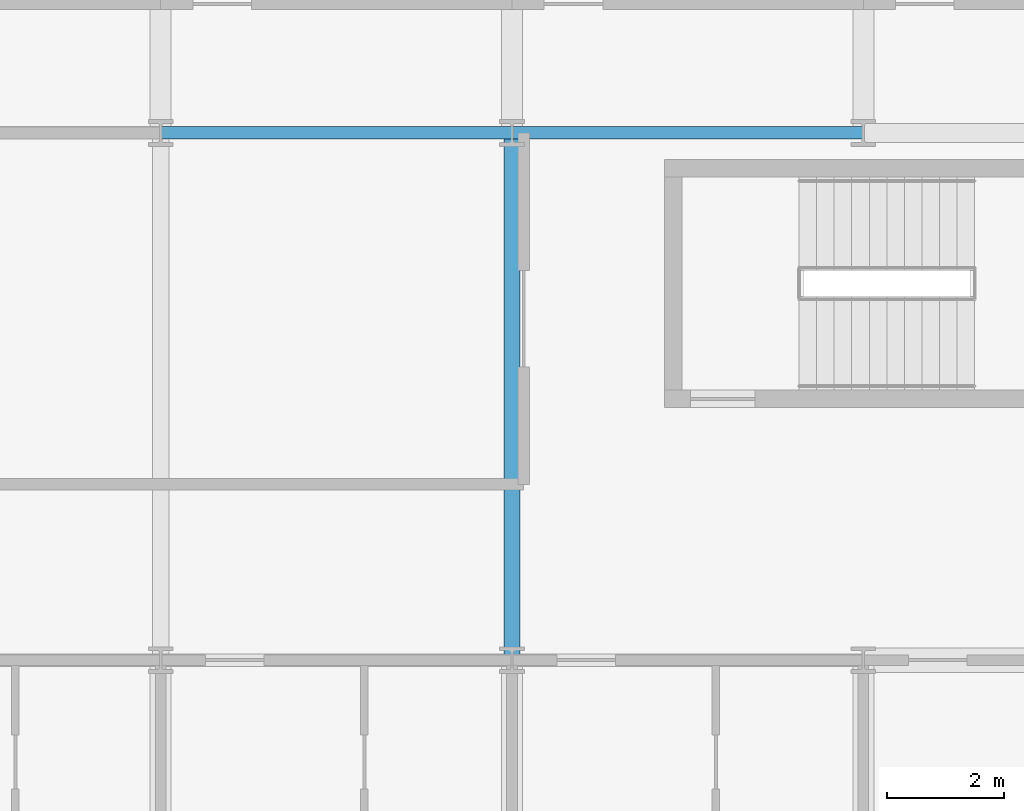
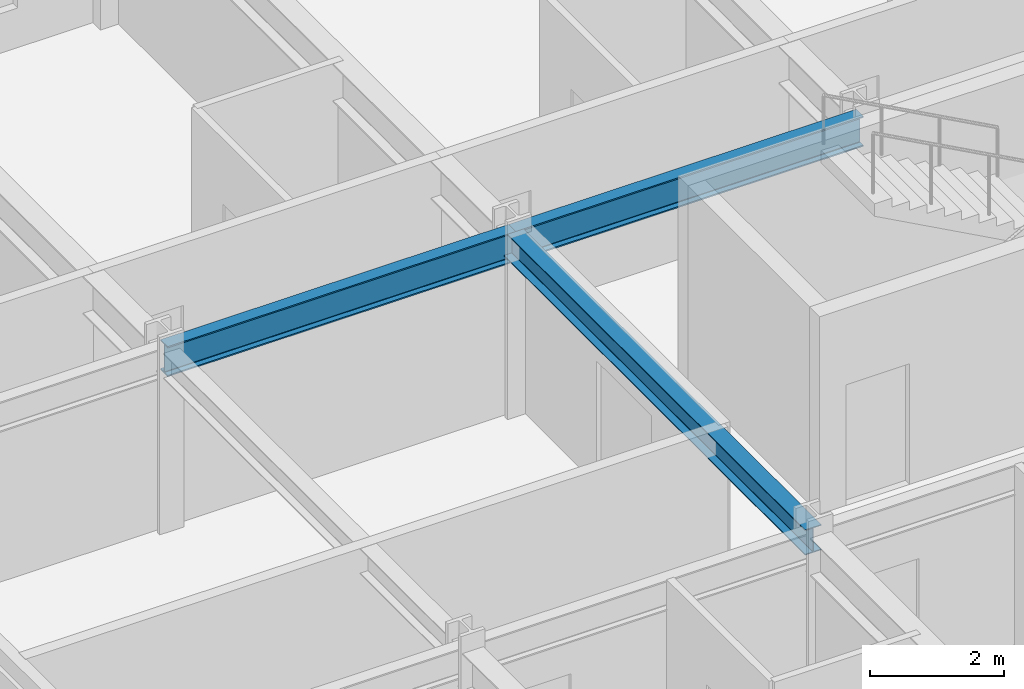
# One storey, part 7 of 27: 3 beams.
"""IFC4 building model written with IfcOpenShell, lengths in metres."""

from ifc_helpers import new_model, si_unit, direction, frame, origin, origin_2d, place, context, subcontext, project, spatial, i_section, extrude, material, material_profile, profile_set, type_object, element, save


model = new_model("IFC4")

# Units and contexts
model_context = context("Model", 3, precision=1e-05, world=origin(), true_north=direction((0.0, 1.0)))
body_context = subcontext(model_context, "Body", "Model", "MODEL_VIEW")
ifc_project = project(units=[si_unit("LENGTHUNIT", "METRE"), si_unit("AREAUNIT", "SQUARE_METRE"), si_unit("VOLUMEUNIT", "CUBIC_METRE"), si_unit("PLANEANGLEUNIT", "RADIAN"), si_unit("MASSUNIT", "GRAM", prefix="KILO")], contexts=[model_context])

# Site, building, storey
site_placement = place(None, origin())
site = spatial("IfcSite", under=ifc_project, at=site_placement, CompositionType="ELEMENT")
building_placement = place(site_placement, origin())
building = spatial("IfcBuilding", under=site, at=building_placement, Name="Kaldorvane Square Convention Centre", CompositionType="ELEMENT")
storey_placement = place(building_placement, frame((0.0, 0.0, 38.399993896484375)))
storey = spatial("IfcBuildingStorey", under=building, at=storey_placement, Name="L08", CompositionType="ELEMENT", Elevation=38.399993896484375)

# Beams
ifc_material = material(Name="Steel ASTM A992 Gr. 50", Category="steel")
ifc_material_profile_1 = material_profile(ifc_material, i_section(OverallWidth=0.213897705078125, OverallDepth=0.549102783203125, WebThickness=0.0146942138671875, FlangeThickness=0.0236053466796875, FilletRadius=0.0126953125, at=origin_2d()), Name="W21X93")
ifc_profile_set_1 = profile_set([ifc_material_profile_1], Name="Steel ASTM A992 Gr. 50")
beam_type_1 = type_object("IfcBeamType", Name="BM-GR-W21X93", PredefinedType="BEAM", material=ifc_profile_set_1)
for number, where, z_axis, x_axis, name in (
    (1, (30.0, 105.0, 3.011505126953125), (1.0, 0.0, 0.0), (0.0, 1.0, 0.0), "Primary Girder (L08)"),
    (2, (36.0, 105.0, 3.011505126953125), (1.0, 0.0, 0.0), (0.0, 1.0, 0.0), "Primary Girder (L08)"),
):
    element("IfcBeam", number, at=place(storey_placement, frame(where, z_axis=z_axis, x_axis=x_axis)), inside=storey, type_object=beam_type_1, Name=name, PredefinedType="BEAM", context=body_context, shape_type="SweptSolid", body=[
        extrude(i_section(OverallWidth=0.213897705078125, OverallDepth=0.549102783203125, WebThickness=0.0146942138671875, FlangeThickness=0.0236053466796875, FilletRadius=0.0126953125, at=origin_2d()), origin(), (0.0, 0.0, 1.0), 6.0),
    ])
ifc_material_profile_2 = material_profile(ifc_material, i_section(OverallWidth=0.2799072265625, OverallDepth=0.462799072265625, WebThickness=0.01080322265625, FlangeThickness=0.017303466796875, FilletRadius=0.01019287109375, at=origin_2d()), Name="W18X76")
ifc_profile_set_2 = profile_set([ifc_material_profile_2], Name="Steel ASTM A992 Gr. 50")
beam_type_2 = type_object("IfcBeamType", Name="BM-JS-W18X76", PredefinedType="JOIST", material=ifc_profile_set_2)
beam_placement = place(storey_placement, frame((36.0, 96.0, 3.0546112060546875), z_axis=(0.0, 1.0, 0.0), x_axis=(-1.0, 0.0, 0.0)))
element("IfcBeam", 3, at=beam_placement, inside=storey, type_object=beam_type_2, Name="Transverse Girder (L08)", PredefinedType="JOIST", context=body_context, shape_type="SweptSolid", body=[
    extrude(i_section(OverallWidth=0.2799072265625, OverallDepth=0.462799072265625, WebThickness=0.01080322265625, FlangeThickness=0.017303466796875, FilletRadius=0.01019287109375, at=origin_2d()), origin(), (0.0, 0.0, 1.0), 9.0),
])

save(model, "model.ifc")
